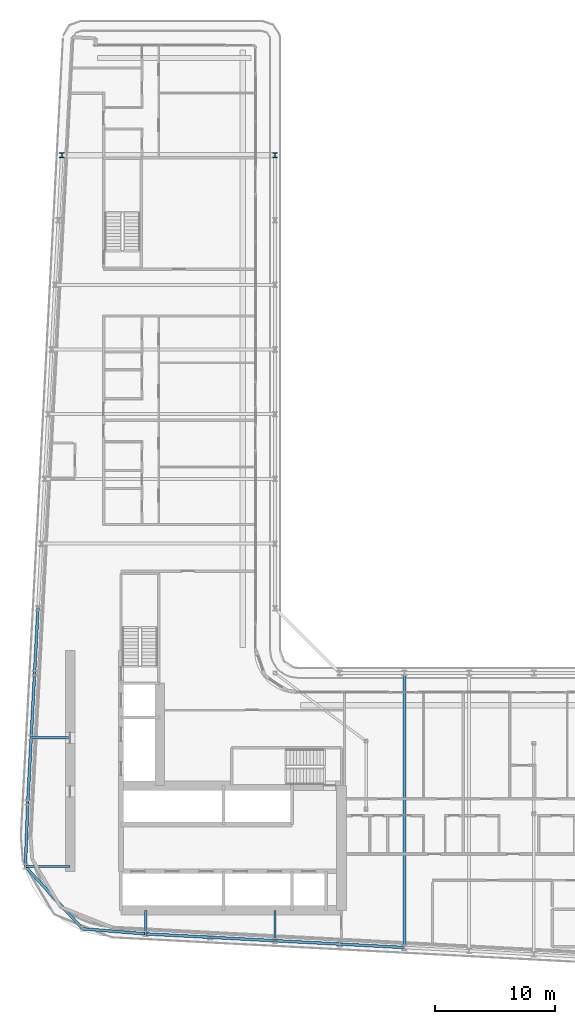
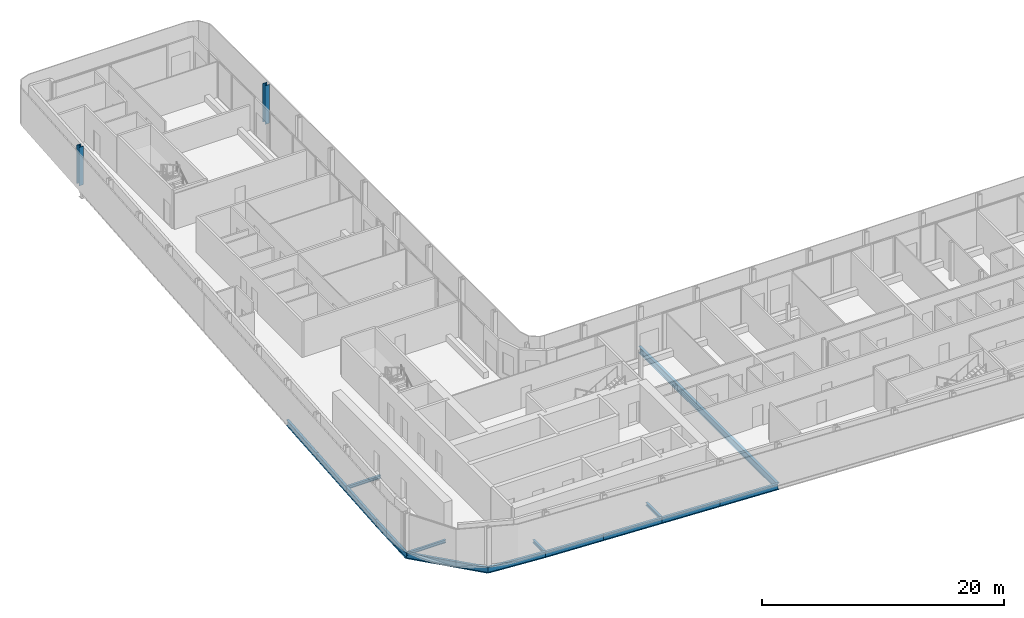
# One storey, part 5 of 29: 15 beams, 2 columns.
"""IFC4 building model written with IfcOpenShell, lengths in metres."""

from ifc_helpers import new_model, si_unit, direction, frame, origin, origin_2d, place, context, subcontext, project, spatial, i_section, extrude, material, material_profile, profile_set, type_object, element, save


model = new_model("IFC4")

# Units and contexts
model_context = context("Model", 3, precision=1e-05, world=origin(), true_north=direction((0.0, 1.0)))
body_context = subcontext(model_context, "Body", "Model", "MODEL_VIEW")
ifc_project = project(units=[si_unit("LENGTHUNIT", "METRE"), si_unit("AREAUNIT", "SQUARE_METRE"), si_unit("VOLUMEUNIT", "CUBIC_METRE"), si_unit("PLANEANGLEUNIT", "RADIAN"), si_unit("MASSUNIT", "GRAM", prefix="KILO")], contexts=[model_context])

# Site, building, storey
site_placement = place(None, origin())
site = spatial("IfcSite", under=ifc_project, at=site_placement, CompositionType="ELEMENT")
building_placement = place(site_placement, origin())
building = spatial("IfcBuilding", under=site, at=building_placement, Name="Kheshtan School and Residences Tower", CompositionType="ELEMENT")
storey_placement = place(building_placement, frame((0.0, 0.0, 179.89990234375)))
storey = spatial("IfcBuildingStorey", under=building, at=storey_placement, Name="L42", CompositionType="ELEMENT", Elevation=179.89990234375)

# Columns
ifc_material = material(Name="Steel ASTM A992 Grade 50", Category="steel")
ifc_material_profile_1 = material_profile(ifc_material, i_section(OverallWidth=0.408935546875, OverallDepth=0.425048828125, WebThickness=0.03271484375, FlangeThickness=0.052490234375, FilletRadius=0.0126953125, at=origin_2d()), Name="W360x421")
ifc_profile_set_1 = profile_set([ifc_material_profile_1], Name="Steel ASTM A992 Grade 50")
column_type = type_object("IfcColumnType", Name="Column C3 W360x421 ASTM A992 Grade 50", PredefinedType="COLUMN", material=ifc_profile_set_1)
for number, where, z_axis, x_axis, name in (
    (1, (29.81103515625, 88.800048828125, 0.0), (0.0, 0.0, 1.0), (1.0, 0.0, 0.0), "Column C098"),
    (2, (47.60009765625, 88.800048828125, 0.0), (0.0, 0.0, 1.0), (1.0, 0.0, 0.0), "Column C099"),
):
    element("IfcColumn", number, at=place(storey_placement, frame(where, z_axis=z_axis, x_axis=x_axis)), inside=storey, type_object=column_type, Name=name, PredefinedType="COLUMN", context=body_context, shape_type="SweptSolid", body=[
        extrude(i_section(OverallWidth=0.408935546875, OverallDepth=0.425048828125, WebThickness=0.03271484375, FlangeThickness=0.052490234375, FilletRadius=0.0126953125, at=origin_2d()), origin(), (0.0, 0.0, 1.0), 3.900146484375),
    ])

# Beams
ifc_material_profile_2 = material_profile(ifc_material, i_section(OverallWidth=0.202880859375, OverallDepth=0.302978515625, WebThickness=0.007568359375, FlangeThickness=0.01318359375, FilletRadius=0.009033203125, at=origin_2d()), Name="W310x60")
ifc_profile_set_2 = profile_set([ifc_material_profile_2], Name="Steel ASTM A992 Grade 50")
beam_type_1 = type_object("IfcBeamType", Name="Beam FB1 W310x60 ASTM A992 Grade 50", PredefinedType="BEAM", material=ifc_profile_set_2)
beam_1_placement = place(storey_placement, frame((47.60009765625, 23.263916015625, -0.301513671875), z_axis=(0.0, 1.0, 0.0), x_axis=(-1.0, 0.0, 0.0)))
element("IfcBeam", 3, at=beam_1_placement, inside=storey, type_object=beam_type_1, Name="Floor beam C020", PredefinedType="BEAM", context=body_context, shape_type="SweptSolid", body=[
    extrude(i_section(OverallWidth=0.202880859375, OverallDepth=0.302978515625, WebThickness=0.007568359375, FlangeThickness=0.01318359375, FilletRadius=0.009033203125, at=origin_2d()), origin(), (0.0, 0.0, 1.0), 2.5361328125),
])
beam_2_placement = place(storey_placement, frame((36.800048828125, 23.83203125, -0.301513671875), z_axis=(0.0, 1.0, 0.0), x_axis=(-1.0, 0.0, 0.0)))
element("IfcBeam", 4, at=beam_2_placement, inside=storey, type_object=beam_type_1, Name="Floor beam C022", PredefinedType="BEAM", context=body_context, shape_type="SweptSolid", body=[
    extrude(i_section(OverallWidth=0.202880859375, OverallDepth=0.302978515625, WebThickness=0.007568359375, FlangeThickness=0.01318359375, FilletRadius=0.009033203125, at=origin_2d()), origin(), (0.0, 0.0, 1.0), 1.968017578125),
])
beam_3_placement = place(storey_placement, frame((26.76904296875, 29.4541015625, -0.301513671875), z_axis=(1.0, 0.0, 0.0), x_axis=(0.0, 1.0, 0.0)))
element("IfcBeam", 5, at=beam_3_placement, inside=storey, type_object=beam_type_1, Name="Floor beam C038", PredefinedType="BEAM", context=body_context, shape_type="SweptSolid", body=[
    extrude(i_section(OverallWidth=0.202880859375, OverallDepth=0.302978515625, WebThickness=0.007568359375, FlangeThickness=0.01318359375, FilletRadius=0.009033203125, at=origin_2d()), origin(), (0.0, 0.0, 1.0), 3.73095703125),
])
beam_4_placement = place(storey_placement, frame((27.2529296875, 40.199951171875, -0.301513671875), z_axis=(1.0, 0.0, 0.0), x_axis=(0.0, 1.0, 0.0)))
element("IfcBeam", 6, at=beam_4_placement, inside=storey, type_object=beam_type_1, Name="Floor beam C056", PredefinedType="BEAM", context=body_context, shape_type="SweptSolid", body=[
    extrude(i_section(OverallWidth=0.202880859375, OverallDepth=0.302978515625, WebThickness=0.007568359375, FlangeThickness=0.01318359375, FilletRadius=0.009033203125, at=origin_2d()), origin(), (0.0, 0.0, 1.0), 3.2470703125),
])
ifc_material_profile_3 = material_profile(ifc_material, i_section(OverallWidth=0.2529296875, OverallDepth=0.677978515625, WebThickness=0.01171875, FlangeThickness=0.016357421875, FilletRadius=0.0146484375, at=origin_2d()), Name="W690x125")
ifc_profile_set_3 = profile_set([ifc_material_profile_3], Name="Steel ASTM A992 Grade 50")
beam_type_2 = type_object("IfcBeamType", Name="Beam FB6 W690x125 ASTM A992 Grade 50", PredefinedType="BEAM", material=ifc_profile_set_3)
beam_5_placement = place(storey_placement, frame((58.39990234375, 22.695068359375, -0.489013671875), z_axis=(0.0, 1.0, 0.0), x_axis=(-1.0, 0.0, 0.0)))
element("IfcBeam", 7, at=beam_5_placement, inside=storey, type_object=beam_type_2, Name="Floor beam C018", PredefinedType="BEAM", context=body_context, shape_type="SweptSolid", body=[
    extrude(i_section(OverallWidth=0.2529296875, OverallDepth=0.677978515625, WebThickness=0.01171875, FlangeThickness=0.016357421875, FilletRadius=0.0146484375, at=origin_2d()), origin(), (0.0, 0.0, 1.0), 22.905029296875),
])
ifc_material_profile_4 = material_profile(ifc_material, i_section(OverallWidth=0.22802734375, OverallDepth=0.60302734375, WebThickness=0.010498046875, FlangeThickness=0.014892578125, FilletRadius=0.013427734375, at=origin_2d()), Name="W610x101")
ifc_profile_set_4 = profile_set([ifc_material_profile_4], Name="Steel ASTM A992 Grade 50")
beam_type_3 = type_object("IfcBeamType", Name="Beam SP2 W610x101 ASTM A992 Grade 50", PredefinedType="BEAM", material=ifc_profile_set_4)
for number, where, z_axis, x_axis, name in (
    (8, (58.39990234375, 22.695068359375, -0.451416015625), (-0.998610961136, 0.052689166816, 0.0), (-0.052689166816, -0.998610961136, 0.0), "Spandrel beam C018-C019"),
    (9, (53.0, 22.97998046875, -0.451416015625), (-0.998620447272, 0.05250906864, 0.0), (-0.05250906864, -0.998620447272, 0.0), "Spandrel beam C019-C020"),
):
    element("IfcBeam", number, at=place(storey_placement, frame(where, z_axis=z_axis, x_axis=x_axis)), inside=storey, type_object=beam_type_3, Name=name, PredefinedType="BEAM", context=body_context, shape_type="SweptSolid", body=[
        extrude(i_section(OverallWidth=0.22802734375, OverallDepth=0.60302734375, WebThickness=0.010498046875, FlangeThickness=0.014892578125, FilletRadius=0.013427734375, at=origin_2d()), origin(), (0.0, 0.0, 1.0), 5.407470703125),
    ])
beam_6_placement = place(storey_placement, frame((47.60009765625, 23.263916015625, -0.451416015625), z_axis=(-0.998618203458, 0.052551724256, 0.0), x_axis=(-0.052551724256, -0.998618203458, 0.0)))
element("IfcBeam", 10, at=beam_6_placement, inside=storey, type_object=beam_type_3, Name="Spandrel beam C020-C021", PredefinedType="BEAM", context=body_context, shape_type="SweptSolid", body=[
    extrude(i_section(OverallWidth=0.22802734375, OverallDepth=0.60302734375, WebThickness=0.010498046875, FlangeThickness=0.014892578125, FilletRadius=0.013427734375, at=origin_2d()), origin(), (0.0, 0.0, 1.0), 5.40771484375),
])
beam_7_placement = place(storey_placement, frame((42.199951171875, 23.548095703125, -0.451416015625), z_axis=(-0.998620447272, 0.05250906864, 0.0), x_axis=(-0.05250906864, -0.998620447272, 0.0)))
element("IfcBeam", 11, at=beam_7_placement, inside=storey, type_object=beam_type_3, Name="Spandrel beam C021-C022", PredefinedType="BEAM", context=body_context, shape_type="SweptSolid", body=[
    extrude(i_section(OverallWidth=0.22802734375, OverallDepth=0.60302734375, WebThickness=0.010498046875, FlangeThickness=0.014892578125, FilletRadius=0.013427734375, at=origin_2d()), origin(), (0.0, 0.0, 1.0), 5.407470703125),
])
beam_8_placement = place(storey_placement, frame((36.800048828125, 23.83203125, -0.451416015625), z_axis=(-0.996748565693, 0.08057479003, 0.0), x_axis=(-0.08057479003, -0.996748565693, 0.0)))
element("IfcBeam", 12, at=beam_8_placement, inside=storey, type_object=beam_type_3, Name="Spandrel beam C022-C025", PredefinedType="BEAM", context=body_context, shape_type="SweptSolid", body=[
    extrude(i_section(OverallWidth=0.22802734375, OverallDepth=0.60302734375, WebThickness=0.010498046875, FlangeThickness=0.014892578125, FilletRadius=0.013427734375, at=origin_2d()), origin(), (0.0, 0.0, 1.0), 5.275146484375),
])
beam_9_placement = place(storey_placement, frame((31.5419921875, 24.257080078125, -0.451416015625), z_axis=(-0.676418406149, 0.736517576045, 0.0), x_axis=(-0.736517576045, -0.676418406149, 0.0)))
element("IfcBeam", 13, at=beam_9_placement, inside=storey, type_object=beam_type_3, Name="Spandrel beam C025-C038", PredefinedType="BEAM", context=body_context, shape_type="SweptSolid", body=[
    extrude(i_section(OverallWidth=0.22802734375, OverallDepth=0.60302734375, WebThickness=0.010498046875, FlangeThickness=0.014892578125, FilletRadius=0.013427734375, at=origin_2d()), origin(), (0.0, 0.0, 1.0), 7.05615234375),
])
beam_10_placement = place(storey_placement, frame((26.76904296875, 29.4541015625, -0.451416015625), z_axis=(0.037376249491, 0.999301263871, 0.0), x_axis=(-0.999301263871, 0.037376249491, 0.0)))
element("IfcBeam", 14, at=beam_10_placement, inside=storey, type_object=beam_type_3, Name="Spandrel beam C038-C052", PredefinedType="BEAM", context=body_context, shape_type="SweptSolid", body=[
    extrude(i_section(OverallWidth=0.22802734375, OverallDepth=0.60302734375, WebThickness=0.010498046875, FlangeThickness=0.014892578125, FilletRadius=0.013427734375, at=origin_2d()), origin(), (0.0, 0.0, 1.0), 5.349609375),
])
beam_11_placement = place(storey_placement, frame((26.968994140625, 34.800048828125, -0.451416015625), z_axis=(0.05250906864, 0.998620447272, 0.0), x_axis=(-0.998620447272, 0.05250906864, 0.0)))
element("IfcBeam", 15, at=beam_11_placement, inside=storey, type_object=beam_type_3, Name="Spandrel beam C052-C056", PredefinedType="BEAM", context=body_context, shape_type="SweptSolid", body=[
    extrude(i_section(OverallWidth=0.22802734375, OverallDepth=0.60302734375, WebThickness=0.010498046875, FlangeThickness=0.014892578125, FilletRadius=0.013427734375, at=origin_2d()), origin(), (0.0, 0.0, 1.0), 5.407470703125),
])
beam_12_placement = place(storey_placement, frame((27.2529296875, 40.199951171875, -0.451416015625), z_axis=(0.052551724256, 0.998618203458, 0.0), x_axis=(-0.998618203458, 0.052551724256, 0.0)))
element("IfcBeam", 16, at=beam_12_placement, inside=storey, type_object=beam_type_3, Name="Spandrel beam C056-C059", PredefinedType="BEAM", context=body_context, shape_type="SweptSolid", body=[
    extrude(i_section(OverallWidth=0.22802734375, OverallDepth=0.60302734375, WebThickness=0.010498046875, FlangeThickness=0.014892578125, FilletRadius=0.013427734375, at=origin_2d()), origin(), (0.0, 0.0, 1.0), 5.40771484375),
])
beam_13_placement = place(storey_placement, frame((27.537109375, 45.60009765625, -0.451416015625), z_axis=(0.052689166816, 0.998610961136, 0.0), x_axis=(-0.998610961136, 0.052689166816, 0.0)))
element("IfcBeam", 17, at=beam_13_placement, inside=storey, type_object=beam_type_3, Name="Spandrel beam C059-C078", PredefinedType="BEAM", context=body_context, shape_type="SweptSolid", body=[
    extrude(i_section(OverallWidth=0.22802734375, OverallDepth=0.60302734375, WebThickness=0.010498046875, FlangeThickness=0.014892578125, FilletRadius=0.013427734375, at=origin_2d()), origin(), (0.0, 0.0, 1.0), 5.407470703125),
])

save(model, "model.ifc")
